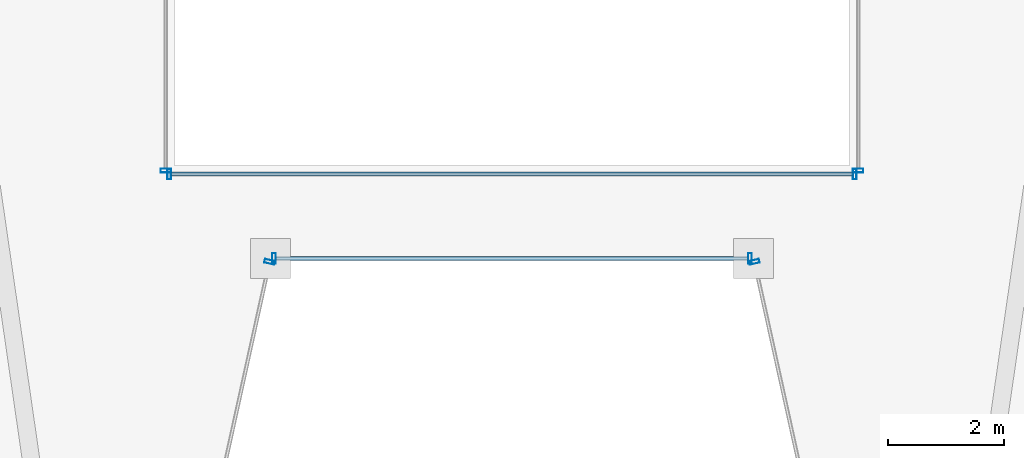
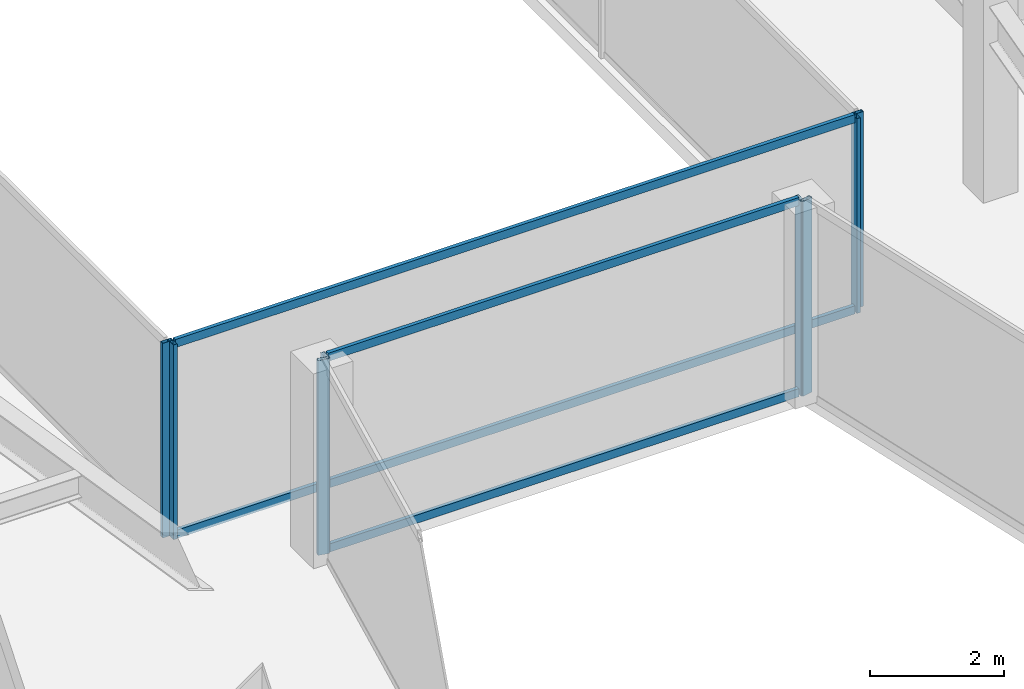
# One storey, part 7 of 38: 12 members, 6 elements without a shape of their own.
"""IFC4 building model written with IfcOpenShell, lengths in metres."""

from ifc_helpers import new_model, si_unit, direction, frame, origin, origin_2d, place, context, subcontext, project, spatial, hollow_rectangle, extrude, material, material_profile, profile_set, type_object, element, aggregate, save


model = new_model("IFC4")

# Units and contexts
model_context = context("Model", 3, precision=1e-05, world=origin(), true_north=direction((0.0, 1.0)))
body_context = subcontext(model_context, "Body", "Model", "MODEL_VIEW")
ifc_project = project(units=[si_unit("LENGTHUNIT", "METRE"), si_unit("AREAUNIT", "SQUARE_METRE"), si_unit("VOLUMEUNIT", "CUBIC_METRE"), si_unit("PLANEANGLEUNIT", "RADIAN"), si_unit("MASSUNIT", "GRAM", prefix="KILO")], contexts=[model_context])

# Site, building, storey
site_placement = place(None, origin())
site = spatial("IfcSite", under=ifc_project, at=site_placement, CompositionType="ELEMENT")
building_placement = place(site_placement, origin())
building = spatial("IfcBuilding", under=site, at=building_placement, Name="Saevonmaru Cultural Tower", CompositionType="ELEMENT")
storey_placement = place(building_placement, frame((0.0, 0.0, 133.39990234375)))
storey = spatial("IfcBuildingStorey", under=building, at=storey_placement, Name="L28", CompositionType="ELEMENT", Elevation=133.39990234375)

# Curtain wall, member
ifc_material = material(Name="Satin Bronze Anodised Aluminium", Category="aluminium")
curtain_wall_type_1 = type_object("IfcCurtainWallType", Name="CW-TYP-A", PredefinedType="NOTDEFINED", material=ifc_material)
curtain_wall_1_placement = place(storey_placement, origin())
curtain_wall_1 = element("IfcCurtainWall", 1, at=curtain_wall_1_placement, inside=storey, type_object=curtain_wall_type_1, Name="L28 Unitised Curtain Wall E3", PredefinedType="NOTDEFINED")
ifc_material_profile_1 = material_profile(ifc_material, hollow_rectangle(XDim=0.06494140625, YDim=0.179931640625, WallThickness=0.00390625, at=origin_2d()), Name="ALU-MULL-180x65x4")
ifc_profile_set_1 = profile_set([ifc_material_profile_1], Name="Satin Bronze Anodised Aluminium")
member_type_1 = type_object("IfcMemberType", Name="ML-CW-180x65", PredefinedType="MULLION", material=ifc_profile_set_1)
member_1_placement = place(storey_placement, frame((25.8359375, 20.741455078125, 0.0), z_axis=(0.0, 0.0, 1.0), x_axis=(0.215413319953, 0.976522965212, 0.0)))
member_1 = element("IfcMember", 2, at=member_1_placement, type_object=member_type_1, Name="CW-TW-L28-E3 mullion 2", PredefinedType="MULLION", context=body_context, shape_type="SweptSolid", body=[
    extrude(hollow_rectangle(XDim=0.06494140625, YDim=0.179931640625, WallThickness=0.00390625, at=origin_2d()), origin(), (0.0, 0.0, 1.0), 3.550048828125),
])
aggregate(curtain_wall_1, [member_1])

# Curtain wall, members
curtain_wall_2_placement = place(storey_placement, origin())
curtain_wall_2 = element("IfcCurtainWall", 3, at=curtain_wall_2_placement, inside=storey, type_object=curtain_wall_type_1, Name="L28 Unitised Curtain Wall E4", PredefinedType="NOTDEFINED")
member_2_placement = place(storey_placement, frame((25.908935546875, 20.800048828125, 0.0), z_axis=(0.0, 0.0, 1.0), x_axis=(1.0, 0.0, 0.0)))
member_2 = element("IfcMember", 4, at=member_2_placement, type_object=member_type_1, Name="CW-TW-L28-E4 mullion 1", PredefinedType="MULLION", context=body_context, shape_type="SweptSolid", body=[
    extrude(hollow_rectangle(XDim=0.06494140625, YDim=0.179931640625, WallThickness=0.00390625, at=origin_2d()), origin(), (0.0, 0.0, 1.0), 3.550048828125),
])
member_3_placement = place(storey_placement, frame((34.091064453125, 20.800048828125, 0.0), z_axis=(0.0, 0.0, 1.0), x_axis=(1.0, 0.0, 0.0)))
member_3 = element("IfcMember", 5, at=member_3_placement, type_object=member_type_1, Name="CW-TW-L28-E4 mullion 2", PredefinedType="MULLION", context=body_context, shape_type="SweptSolid", body=[
    extrude(hollow_rectangle(XDim=0.06494140625, YDim=0.179931640625, WallThickness=0.00390625, at=origin_2d()), origin(), (0.0, 0.0, 1.0), 3.550048828125),
])

# Curtain wall, member
curtain_wall_3_placement = place(storey_placement, origin())
curtain_wall_3 = element("IfcCurtainWall", 6, at=curtain_wall_3_placement, inside=storey, type_object=curtain_wall_type_1, Name="L28 Unitised Curtain Wall E5", PredefinedType="NOTDEFINED")
member_4_placement = place(storey_placement, frame((34.1640625, 20.741455078125, 0.0), z_axis=(0.0, 0.0, 1.0), x_axis=(0.215413319953, -0.976522965212, 0.0)))
member_4 = element("IfcMember", 7, at=member_4_placement, type_object=member_type_1, Name="CW-TW-L28-E5 mullion 1", PredefinedType="MULLION", context=body_context, shape_type="SweptSolid", body=[
    extrude(hollow_rectangle(XDim=0.06494140625, YDim=0.179931640625, WallThickness=0.00390625, at=origin_2d()), origin(), (0.0, 0.0, 1.0), 3.550048828125),
])
aggregate(curtain_wall_3, [member_4])

# Curtain wall, members
curtain_wall_type_2 = type_object("IfcCurtainWallType", Name="CW-ATR-GLZ", PredefinedType="NOTDEFINED", material=ifc_material)
curtain_wall_4_placement = place(storey_placement, origin())
curtain_wall_4 = element("IfcCurtainWall", 8, at=curtain_wall_4_placement, inside=storey, type_object=curtain_wall_type_2, Name="L28 Vertical Atrium Glazed Smoke Screen 1", PredefinedType="NOTDEFINED")
ifc_material_profile_2 = material_profile(ifc_material, hollow_rectangle(XDim=0.06494140625, YDim=0.179931640625, WallThickness=0.00390625, at=origin_2d()), Name="ALU-MULL-180x65x4")
ifc_profile_set_2 = profile_set([ifc_material_profile_2], Name="Satin Bronze Anodised Aluminium")
member_type_2 = type_object("IfcMemberType", Name="ML-CW-INT-180x65", PredefinedType="MULLION", material=ifc_profile_set_2)
member_5_placement = place(storey_placement, frame((24.110107421875, 22.25, 0.0), z_axis=(0.0, 0.0, 1.0), x_axis=(1.0, 0.0, 0.0)))
member_5 = element("IfcMember", 9, at=member_5_placement, type_object=member_type_2, Name="CW-ATR-L28-1 mullion 1", PredefinedType="MULLION", context=body_context, shape_type="SweptSolid", body=[
    extrude(hollow_rectangle(XDim=0.06494140625, YDim=0.179931640625, WallThickness=0.00390625, at=origin_2d()), origin(), (0.0, 0.0, 1.0), 3.550048828125),
])
member_6_placement = place(storey_placement, frame((35.889892578125, 22.25, 0.0), z_axis=(0.0, 0.0, 1.0), x_axis=(1.0, 0.0, 0.0)))
member_6 = element("IfcMember", 10, at=member_6_placement, type_object=member_type_2, Name="CW-ATR-L28-1 mullion 2", PredefinedType="MULLION", context=body_context, shape_type="SweptSolid", body=[
    extrude(hollow_rectangle(XDim=0.06494140625, YDim=0.179931640625, WallThickness=0.00390625, at=origin_2d()), origin(), (0.0, 0.0, 1.0), 3.550048828125),
])

# Curtain wall, member
curtain_wall_5_placement = place(storey_placement, origin())
curtain_wall_5 = element("IfcCurtainWall", 11, at=curtain_wall_5_placement, inside=storey, type_object=curtain_wall_type_2, Name="L28 Vertical Atrium Glazed Smoke Screen 2", PredefinedType="NOTDEFINED")
member_7_placement = place(storey_placement, frame((35.949951171875, 22.31005859375, 0.0), z_axis=(0.0, 0.0, 1.0), x_axis=(0.0, 1.0, 0.0)))
member_7 = element("IfcMember", 12, at=member_7_placement, type_object=member_type_2, Name="CW-ATR-L28-2 mullion 1", PredefinedType="MULLION", context=body_context, shape_type="SweptSolid", body=[
    extrude(hollow_rectangle(XDim=0.06494140625, YDim=0.179931640625, WallThickness=0.00390625, at=origin_2d()), origin(), (0.0, 0.0, 1.0), 3.550048828125),
])
aggregate(curtain_wall_5, [member_7])

curtain_wall_6_placement = place(storey_placement, origin())
curtain_wall_6 = element("IfcCurtainWall", 13, at=curtain_wall_6_placement, inside=storey, type_object=curtain_wall_type_2, Name="L28 Vertical Atrium Glazed Smoke Screen 4", PredefinedType="NOTDEFINED")
member_8_placement = place(storey_placement, frame((24.050048828125, 22.31005859375, 0.0), z_axis=(0.0, 0.0, 1.0), x_axis=(0.0, -1.0, 0.0)))
member_8 = element("IfcMember", 14, at=member_8_placement, type_object=member_type_2, Name="CW-ATR-L28-4 mullion 3", PredefinedType="MULLION", context=body_context, shape_type="SweptSolid", body=[
    extrude(hollow_rectangle(XDim=0.06494140625, YDim=0.179931640625, WallThickness=0.00390625, at=origin_2d()), origin(), (0.0, 0.0, 1.0), 3.550048828125),
])
aggregate(curtain_wall_6, [member_8])

# Member
ifc_material_profile_3 = material_profile(ifc_material, hollow_rectangle(XDim=0.06494140625, YDim=0.14990234375, WallThickness=0.00390625, at=origin_2d()), Name="ALU-TRAN-150x65x4")
ifc_profile_set_3 = profile_set([ifc_material_profile_3], Name="Satin Bronze Anodised Aluminium")
member_type_3 = type_object("IfcMemberType", Name="TR-CW-150x65", PredefinedType="USERDEFINED", material=ifc_profile_set_3)
member_9_placement = place(storey_placement, frame((25.94140625, 20.800048828125, 0.03271484375), z_axis=(1.0, 0.0, 0.0), x_axis=(0.0, 1.0, 0.0)))
member_9 = element("IfcMember", 15, at=member_9_placement, type_object=member_type_3, Name="CW-TW-L28-E4 transom 1.1", ObjectType="TRANSOM", PredefinedType="USERDEFINED", context=body_context, shape_type="SweptSolid", body=[
    extrude(hollow_rectangle(XDim=0.06494140625, YDim=0.14990234375, WallThickness=0.00390625, at=origin_2d()), origin(), (0.0, 0.0, 1.0), 8.1171875),
])

member_10_placement = place(storey_placement, frame((25.94140625, 20.800048828125, 3.517578125), z_axis=(1.0, 0.0, 0.0), x_axis=(0.0, 1.0, 0.0)))
member_10 = element("IfcMember", 16, at=member_10_placement, type_object=member_type_3, Name="CW-TW-L28-E4 transom 1.2", ObjectType="TRANSOM", PredefinedType="USERDEFINED", context=body_context, shape_type="SweptSolid", body=[
    extrude(hollow_rectangle(XDim=0.06494140625, YDim=0.14990234375, WallThickness=0.00390625, at=origin_2d()), origin(), (0.0, 0.0, 1.0), 8.1171875),
])

aggregate(curtain_wall_2, [member_2, member_3, member_9, member_10])

ifc_material_profile_4 = material_profile(ifc_material, hollow_rectangle(XDim=0.06494140625, YDim=0.14990234375, WallThickness=0.00390625, at=origin_2d()), Name="ALU-TRAN-150x65x4")
ifc_profile_set_4 = profile_set([ifc_material_profile_4], Name="Satin Bronze Anodised Aluminium")
member_type_4 = type_object("IfcMemberType", Name="TR-CW-INT-150x65", PredefinedType="USERDEFINED", material=ifc_profile_set_4)
member_11_placement = place(storey_placement, frame((24.142578125, 22.25, 0.03271484375), z_axis=(1.0, 0.0, 0.0), x_axis=(0.0, 1.0, 0.0)))
member_11 = element("IfcMember", 17, at=member_11_placement, type_object=member_type_4, Name="CW-ATR-L28-1 transom 1.1", ObjectType="TRANSOM", PredefinedType="USERDEFINED", context=body_context, shape_type="SweptSolid", body=[
    extrude(hollow_rectangle(XDim=0.06494140625, YDim=0.14990234375, WallThickness=0.00390625, at=origin_2d()), origin(), (0.0, 0.0, 1.0), 11.71484375),
])

member_12_placement = place(storey_placement, frame((24.142578125, 22.25, 3.517578125), z_axis=(1.0, 0.0, 0.0), x_axis=(0.0, 1.0, 0.0)))
member_12 = element("IfcMember", 18, at=member_12_placement, type_object=member_type_4, Name="CW-ATR-L28-1 transom 1.2", ObjectType="TRANSOM", PredefinedType="USERDEFINED", context=body_context, shape_type="SweptSolid", body=[
    extrude(hollow_rectangle(XDim=0.06494140625, YDim=0.14990234375, WallThickness=0.00390625, at=origin_2d()), origin(), (0.0, 0.0, 1.0), 11.71484375),
])

aggregate(curtain_wall_4, [member_5, member_6, member_11, member_12])

save(model, "model.ifc")
